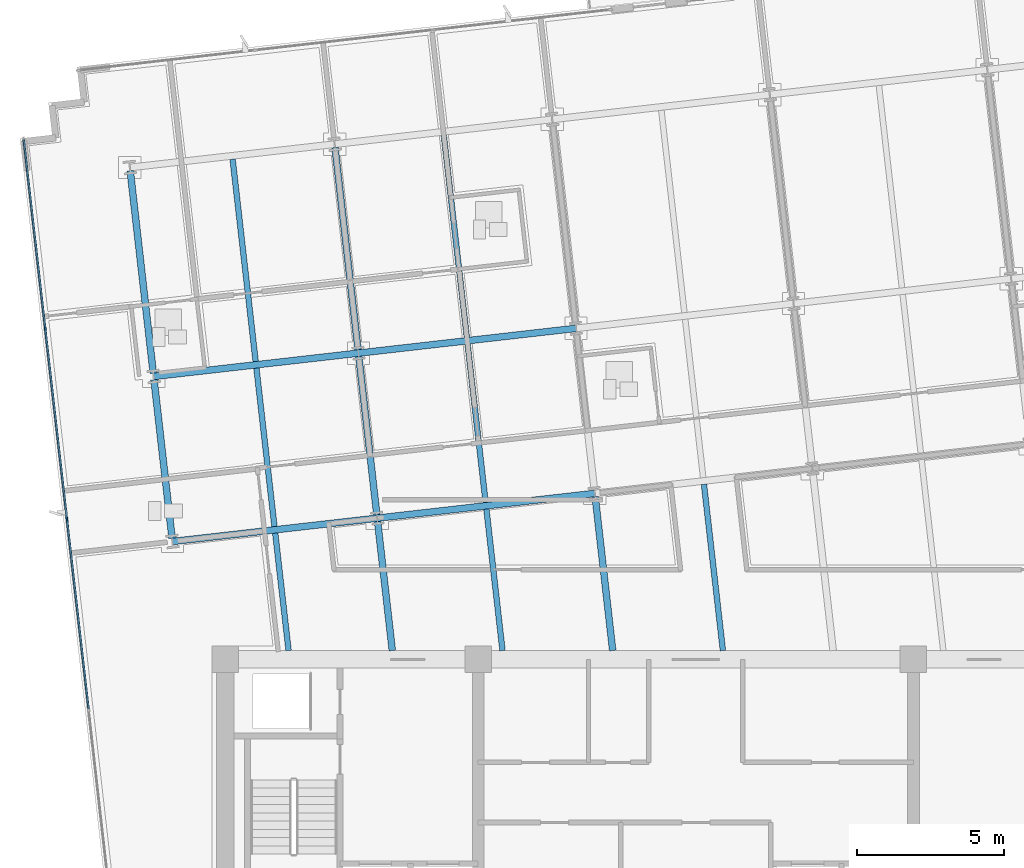
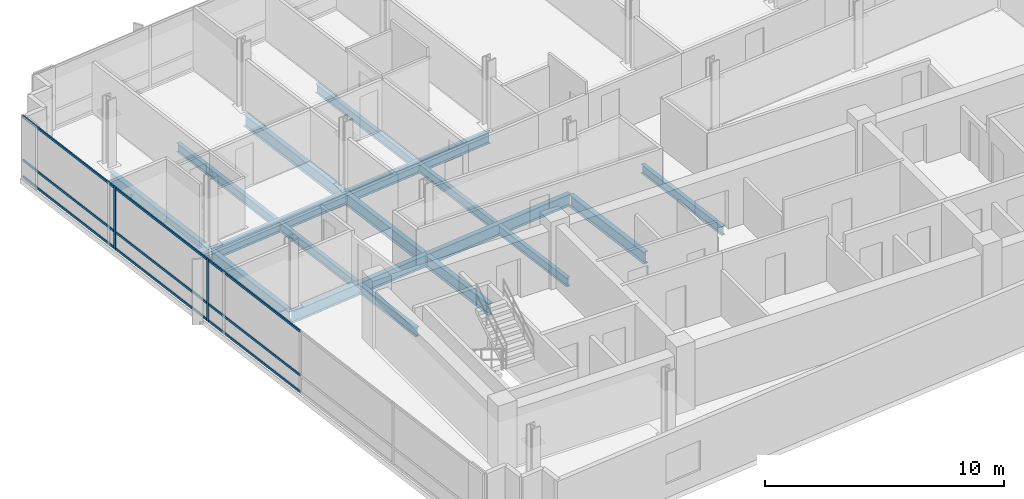
# One storey, part 3 of 16: 17 beams, 11 members, 1 element without a shape of its own.
"""IFC4 building model written with IfcOpenShell, lengths in metres."""

from ifc_helpers import new_model, si_unit, direction, frame, origin, origin_2d, place, context, subcontext, project, spatial, rectangle, i_section, extrude, material, material_profile, profile_set, type_object, element, aggregate, save


model = new_model("IFC4")

# Units and contexts
model_context = context("Model", 3, precision=1e-05, world=origin(), true_north=direction((0.0, 1.0)))
body_context = subcontext(model_context, "Body", "Model", "MODEL_VIEW")
ifc_project = project(units=[si_unit("LENGTHUNIT", "METRE"), si_unit("AREAUNIT", "SQUARE_METRE"), si_unit("VOLUMEUNIT", "CUBIC_METRE"), si_unit("PLANEANGLEUNIT", "RADIAN"), si_unit("MASSUNIT", "GRAM", prefix="KILO")], contexts=[model_context])

# Site, building, storey
site_placement = place(None, origin())
site = spatial("IfcSite", under=ifc_project, at=site_placement, CompositionType="ELEMENT")
building_placement = place(site_placement, origin())
building = spatial("IfcBuilding", under=site, at=building_placement, Name="Solmavex Isthmus Hotel", CompositionType="ELEMENT")
storey_placement = place(building_placement, frame((0.0, 0.0, 219.300048828125)))
storey = spatial("IfcBuildingStorey", under=building, at=storey_placement, Name="L59", CompositionType="ELEMENT", Elevation=219.300048828125)

# Beams
ifc_material_1 = material(Name="Steel ASTM A992 Grade 50", Category="steel")
ifc_material_profile_1 = material_profile(ifc_material_1, i_section(OverallWidth=0.1904296875, OverallDepth=0.456787109375, WebThickness=0.009033203125, FlangeThickness=0.014404296875, FilletRadius=0.0126953125, at=origin_2d()), Name="W18X50")
ifc_profile_set_1 = profile_set([ifc_material_profile_1], Name="Steel ASTM A992 Grade 50")
beam_type_1 = type_object("IfcBeamType", Name="BM-BJ-W18X50", PredefinedType="JOIST", material=ifc_profile_set_1)
beam_1_placement = place(storey_placement, frame((-13.847900390625, -2.199951171875, -0.488525390625), z_axis=(-0.113179724577, 0.993574531651, 0.0), x_axis=(-0.993574531651, -0.113179724577, 0.0)))
element("IfcBeam", 1, at=beam_1_placement, inside=storey, type_object=beam_type_1, Name="Secondary Floor Joist L59-J02", PredefinedType="JOIST", context=body_context, shape_type="SweptSolid", body=[
    extrude(i_section(OverallWidth=0.1904296875, OverallDepth=0.456787109375, WebThickness=0.009033203125, FlangeThickness=0.014404296875, FilletRadius=0.0126953125, at=origin_2d()), origin(), (0.0, 0.0, 1.0), 4.0166015625),
])
beam_2_placement = place(storey_placement, frame((-14.328369140625, 2.01708984375, -0.488525390625), z_axis=(-0.113189626161, 0.993573403695, 0.0), x_axis=(-0.993573403695, -0.113189626161, 0.0)))
element("IfcBeam", 2, at=beam_2_placement, inside=storey, type_object=beam_type_1, Name="Secondary Floor Joist L59-J03", PredefinedType="JOIST", context=body_context, shape_type="SweptSolid", body=[
    extrude(i_section(OverallWidth=0.1904296875, OverallDepth=0.456787109375, WebThickness=0.009033203125, FlangeThickness=0.014404296875, FilletRadius=0.0126953125, at=origin_2d()), origin(), (0.0, 0.0, 1.0), 5.42041015625),
])
beam_3_placement = place(storey_placement, frame((-14.9677734375, 7.62890625, -0.488525390625), z_axis=(-0.113202453846, 0.993571942258, 0.0), x_axis=(-0.993571942258, -0.113202453846, 0.0)))
element("IfcBeam", 3, at=beam_3_placement, inside=storey, type_object=beam_type_1, Name="Secondary Floor Joist L59-J04", PredefinedType="JOIST", context=body_context, shape_type="SweptSolid", body=[
    extrude(i_section(OverallWidth=0.1904296875, OverallDepth=0.456787109375, WebThickness=0.009033203125, FlangeThickness=0.014404296875, FilletRadius=0.0126953125, at=origin_2d()), origin(), (0.0, 0.0, 1.0), 6.9228515625),
])
beam_4_placement = place(storey_placement, frame((-6.57421875, -2.199951171875, -0.488525390625), z_axis=(-0.113193768539, 0.993572931779, 0.0), x_axis=(-0.993572931779, -0.113193768539, 0.0)))
element("IfcBeam", 4, at=beam_4_placement, inside=storey, type_object=beam_type_1, Name="Secondary Floor Joist L59-J06", PredefinedType="JOIST", context=body_context, shape_type="SweptSolid", body=[
    extrude(i_section(OverallWidth=0.1904296875, OverallDepth=0.456787109375, WebThickness=0.009033203125, FlangeThickness=0.014404296875, FilletRadius=0.0126953125, at=origin_2d()), origin(), (0.0, 0.0, 1.0), 4.83984375),
])
beam_5_placement = place(storey_placement, frame((-7.14794921875, 2.835205078125, -0.488525390625), z_axis=(-0.113189626161, 0.993573403695, 0.0), x_axis=(-0.993573403695, -0.113189626161, 0.0)))
element("IfcBeam", 5, at=beam_5_placement, inside=storey, type_object=beam_type_1, Name="Secondary Floor Joist L59-J07", PredefinedType="JOIST", context=body_context, shape_type="SweptSolid", body=[
    extrude(i_section(OverallWidth=0.1904296875, OverallDepth=0.456787109375, WebThickness=0.009033203125, FlangeThickness=0.014404296875, FilletRadius=0.0126953125, at=origin_2d()), origin(), (0.0, 0.0, 1.0), 5.42041015625),
])
beam_6_placement = place(storey_placement, frame((-7.787109375, 8.447021484375, -0.488525390625), z_axis=(-0.113202453846, 0.993571942258, 0.0), x_axis=(-0.993571942258, -0.113202453846, 0.0)))
element("IfcBeam", 6, at=beam_6_placement, inside=storey, type_object=beam_type_1, Name="Secondary Floor Joist L59-J08", PredefinedType="JOIST", context=body_context, shape_type="SweptSolid", body=[
    extrude(i_section(OverallWidth=0.1904296875, OverallDepth=0.456787109375, WebThickness=0.009033203125, FlangeThickness=0.014404296875, FilletRadius=0.0126953125, at=origin_2d()), origin(), (0.0, 0.0, 1.0), 6.9228515625),
])
beam_7_placement = place(storey_placement, frame((0.920166015625, -2.199951171875, -0.488525390625), z_axis=(-0.113219765873, 0.993569969663, 0.0), x_axis=(-0.993569969663, -0.113219765873, 0.0)))
element("IfcBeam", 7, at=beam_7_placement, inside=storey, type_object=beam_type_1, Name="Secondary Floor Joist L59-J09", PredefinedType="JOIST", context=body_context, shape_type="SweptSolid", body=[
    extrude(i_section(OverallWidth=0.1904296875, OverallDepth=0.456787109375, WebThickness=0.009033203125, FlangeThickness=0.014404296875, FilletRadius=0.0126953125, at=origin_2d()), origin(), (0.0, 0.0, 1.0), 5.6884765625),
])
ifc_material_profile_2 = material_profile(ifc_material_1, i_section(OverallWidth=0.227783203125, OverallDepth=0.602783203125, WebThickness=0.010498046875, FlangeThickness=0.014892578125, FilletRadius=0.01513671875, at=origin_2d()), Name="W24X68")
ifc_profile_set_2 = profile_set([ifc_material_profile_2], Name="Steel ASTM A992 Grade 50")
beam_type_2 = type_object("IfcBeamType", Name="BM-BM-W24X68", PredefinedType="BEAM", material=ifc_profile_set_2)
beam_8_placement = place(storey_placement, frame((-17.796875, 1.50732421875, -0.561279296875), z_axis=(0.993569675103, 0.113222350774, 0.0), x_axis=(-0.113222350774, 0.993569675103, 0.0)))
element("IfcBeam", 8, at=beam_8_placement, inside=storey, type_object=beam_type_2, Name="Floor Girder L59-UG06", PredefinedType="BEAM", context=body_context, shape_type="SweptSolid", body=[
    extrude(i_section(OverallWidth=0.227783203125, OverallDepth=0.602783203125, WebThickness=0.010498046875, FlangeThickness=0.014892578125, FilletRadius=0.01513671875, at=origin_2d()), origin(), (0.0, 0.0, 1.0), 7.008056640625),
])
beam_9_placement = place(storey_placement, frame((-10.833984375, 2.30078125, -0.561279296875), z_axis=(0.993574034044, 0.113184092846, 0.0), x_axis=(-0.113184092846, 0.993574034044, 0.0)))
element("IfcBeam", 9, at=beam_9_placement, inside=storey, type_object=beam_type_2, Name="Floor Girder L59-UG07", PredefinedType="BEAM", context=body_context, shape_type="SweptSolid", body=[
    extrude(i_section(OverallWidth=0.227783203125, OverallDepth=0.602783203125, WebThickness=0.010498046875, FlangeThickness=0.014892578125, FilletRadius=0.01513671875, at=origin_2d()), origin(), (0.0, 0.0, 1.0), 7.446044921875),
])
beam_10_placement = place(storey_placement, frame((-18.436279296875, 7.119140625, -0.561279296875), z_axis=(0.99357359356, 0.113187959519, 0.0), x_axis=(-0.113187959519, 0.99357359356, 0.0)))
element("IfcBeam", 10, at=beam_10_placement, inside=storey, type_object=beam_type_2, Name="Floor Girder L59-UG12", PredefinedType="BEAM", context=body_context, shape_type="SweptSolid", body=[
    extrude(i_section(OverallWidth=0.227783203125, OverallDepth=0.602783203125, WebThickness=0.010498046875, FlangeThickness=0.014892578125, FilletRadius=0.01513671875, at=origin_2d()), origin(), (0.0, 0.0, 1.0), 7.0078125),
])
beam_11_placement = place(storey_placement, frame((-11.473388671875, 7.912353515625, -0.561279296875), z_axis=(0.9935703463, 0.113216460607, 0.0), x_axis=(-0.113216460607, 0.9935703463, 0.0)))
element("IfcBeam", 11, at=beam_11_placement, inside=storey, type_object=beam_type_2, Name="Floor Girder L59-UG13", PredefinedType="BEAM", context=body_context, shape_type="SweptSolid", body=[
    extrude(i_section(OverallWidth=0.227783203125, OverallDepth=0.602783203125, WebThickness=0.010498046875, FlangeThickness=0.014892578125, FilletRadius=0.01513671875, at=origin_2d()), origin(), (0.0, 0.0, 1.0), 7.446044921875),
])
beam_12_placement = place(storey_placement, frame((-10.3212890625, -2.199951171875, -0.561279296875), z_axis=(-0.113173914695, 0.993575193447, 0.0), x_axis=(-0.993575193447, -0.113173914695, 0.0)))
element("IfcBeam", 12, at=beam_12_placement, inside=storey, type_object=beam_type_2, Name="Floor Beam L59-VG28", PredefinedType="BEAM", context=body_context, shape_type="SweptSolid", body=[
    extrude(i_section(OverallWidth=0.227783203125, OverallDepth=0.602783203125, WebThickness=0.010498046875, FlangeThickness=0.014892578125, FilletRadius=0.01513671875, at=origin_2d()), origin(), (0.0, 0.0, 1.0), 4.415771484375),
])
beam_13_placement = place(storey_placement, frame((-10.846923828125, 2.413818359375, -0.561279296875), z_axis=(-0.113189626161, 0.993573403695, 0.0), x_axis=(-0.993573403695, -0.113189626161, 0.0)))
element("IfcBeam", 13, at=beam_13_placement, inside=storey, type_object=beam_type_2, Name="Floor Beam L59-VG29", PredefinedType="BEAM", context=body_context, shape_type="SweptSolid", body=[
    extrude(i_section(OverallWidth=0.227783203125, OverallDepth=0.602783203125, WebThickness=0.010498046875, FlangeThickness=0.014892578125, FilletRadius=0.01513671875, at=origin_2d()), origin(), (0.0, 0.0, 1.0), 5.42041015625),
])
beam_14_placement = place(storey_placement, frame((-11.486328125, 8.025634765625, -0.561279296875), z_axis=(-0.113202453846, 0.993571942258, 0.0), x_axis=(-0.993571942258, -0.113202453846, 0.0)))
element("IfcBeam", 14, at=beam_14_placement, inside=storey, type_object=beam_type_2, Name="Floor Beam L59-VG30", PredefinedType="BEAM", context=body_context, shape_type="SweptSolid", body=[
    extrude(i_section(OverallWidth=0.227783203125, OverallDepth=0.602783203125, WebThickness=0.010498046875, FlangeThickness=0.014892578125, FilletRadius=0.01513671875, at=origin_2d()), origin(), (0.0, 0.0, 1.0), 6.9228515625),
])
beam_15_placement = place(storey_placement, frame((-2.8271484375, -2.199951171875, -0.561279296875), z_axis=(-0.113159423971, 0.993576843916, 0.0), x_axis=(-0.993576843916, -0.113159423971, 0.0)))
element("IfcBeam", 15, at=beam_15_placement, inside=storey, type_object=beam_type_2, Name="Floor Beam L59-VG31", PredefinedType="BEAM", context=body_context, shape_type="SweptSolid", body=[
    extrude(i_section(OverallWidth=0.227783203125, OverallDepth=0.602783203125, WebThickness=0.010498046875, FlangeThickness=0.014892578125, FilletRadius=0.01513671875, at=origin_2d()), origin(), (0.0, 0.0, 1.0), 5.26416015625),
])
ifc_material_profile_3 = material_profile(ifc_material_1, i_section(OverallWidth=0.230224609375, OverallDepth=0.617431640625, WebThickness=0.01318359375, FlangeThickness=0.022216796875, FilletRadius=0.01513671875, at=origin_2d()), Name="W24X94")
ifc_profile_set_3 = profile_set([ifc_material_profile_3], Name="Steel ASTM A992 Grade 50")
beam_type_3 = type_object("IfcBeamType", Name="BM-SP-W24X94", PredefinedType="SPANDREL", material=ifc_profile_set_3)
beam_16_placement = place(storey_placement, frame((-17.809814453125, 1.62060546875, -0.56884765625), z_axis=(-0.113194691868, 0.993572826587, 0.0), x_axis=(-0.993572826587, -0.113194691868, 0.0)))
element("IfcBeam", 16, at=beam_16_placement, inside=storey, type_object=beam_type_3, Name="Floor Beam L59-VG25", PredefinedType="SPANDREL", context=body_context, shape_type="SweptSolid", body=[
    extrude(i_section(OverallWidth=0.230224609375, OverallDepth=0.617431640625, WebThickness=0.01318359375, FlangeThickness=0.022216796875, FilletRadius=0.01513671875, at=origin_2d()), origin(), (0.0, 0.0, 1.0), 5.420166015625),
])
beam_17_placement = place(storey_placement, frame((-18.44921875, 7.232177734375, -0.56884765625), z_axis=(-0.113202453846, 0.993571942258, 0.0), x_axis=(-0.993571942258, -0.113202453846, 0.0)))
element("IfcBeam", 17, at=beam_17_placement, inside=storey, type_object=beam_type_3, Name="Floor Beam L59-VG26", PredefinedType="SPANDREL", context=body_context, shape_type="SweptSolid", body=[
    extrude(i_section(OverallWidth=0.230224609375, OverallDepth=0.617431640625, WebThickness=0.01318359375, FlangeThickness=0.022216796875, FilletRadius=0.01513671875, at=origin_2d()), origin(), (0.0, 0.0, 1.0), 6.9228515625),
])

# Curtain wall, members
ifc_material_2 = material(Name="Aluminium alloy 6063-T6", Category="aluminium")
curtain_wall_type = type_object("IfcCurtainWallType", Name="CW-SYS-06", PredefinedType="NOTDEFINED", material=ifc_material_2)
curtain_wall_placement = place(storey_placement, origin())
curtain_wall = element("IfcCurtainWall", 18, at=curtain_wall_placement, inside=storey, type_object=curtain_wall_type, Name="Stick Curtain Wall CWL-L59-W1", PredefinedType="NOTDEFINED")
ifc_material_profile_4 = material_profile(ifc_material_2, rectangle(XDim=0.06005859375, YDim=0.139892578125, at=origin_2d()), Name="CWM-60X140")
ifc_profile_set_4 = profile_set([ifc_material_profile_4], Name="Aluminium alloy 6063-T6")
member_type_1 = type_object("IfcMemberType", Name="CW-SYS-06-MUL", PredefinedType="MULLION", material=ifc_profile_set_4)
member_1_placement = place(storey_placement, frame((-21.385986328125, 2.265869140625, 0.0), z_axis=(0.0, 0.0, 1.0), x_axis=(-0.993571836648, -0.11320338078, 0.0)))
member_1 = element("IfcMember", 19, at=member_1_placement, type_object=member_type_1, Name="CW-06 mullion 4", PredefinedType="MULLION", context=body_context, shape_type="SweptSolid", body=[
    extrude(rectangle(XDim=0.06005859375, YDim=0.139892578125, at=origin_2d()), origin(), (0.0, 0.0, 1.0), 3.18994140625),
])
member_2_placement = place(storey_placement, frame((-22.1240234375, 8.744140625, 0.0), z_axis=(0.0, 0.0, 1.0), x_axis=(-0.993571836648, -0.11320338078, 0.0)))
member_2 = element("IfcMember", 20, at=member_2_placement, type_object=member_type_1, Name="CW-06 mullion 5", PredefinedType="MULLION", context=body_context, shape_type="SweptSolid", body=[
    extrude(rectangle(XDim=0.06005859375, YDim=0.139892578125, at=origin_2d()), origin(), (0.0, 0.0, 1.0), 3.18994140625),
])
ifc_material_profile_5 = material_profile(ifc_material_2, rectangle(XDim=0.06005859375, YDim=0.114990234375, at=origin_2d()), Name="CWT-60X115")
ifc_profile_set_5 = profile_set([ifc_material_profile_5], Name="Aluminium alloy 6063-T6")
member_type_2 = type_object("IfcMemberType", Name="CW-SYS-06-TRN", PredefinedType="USERDEFINED", material=ifc_profile_set_5)
member_3_placement = place(storey_placement, frame((-20.651123046875, -4.182373046875, 0.057373046875), z_axis=(-0.113226824616, 0.993569165276, 0.0), x_axis=(-0.993569165276, -0.113226824616, 0.0)))
member_3 = element("IfcMember", 21, at=member_3_placement, type_object=member_type_2, Name="CW-06 transom 3.1", ObjectType="TRANSOM", PredefinedType="USERDEFINED", context=body_context, shape_type="SweptSolid", body=[
    extrude(rectangle(XDim=0.06005859375, YDim=0.114990234375, at=origin_2d()), origin(), (0.0, 0.0, 1.0), 6.4599609375),
])
member_4_placement = place(storey_placement, frame((-20.651123046875, -4.182373046875, 0.89990234375), z_axis=(-0.113226824616, 0.993569165276, 0.0), x_axis=(-0.993569165276, -0.113226824616, 0.0)))
member_4 = element("IfcMember", 22, at=member_4_placement, type_object=member_type_2, Name="CW-06 transom 3.2", ObjectType="TRANSOM", PredefinedType="USERDEFINED", context=body_context, shape_type="SweptSolid", body=[
    extrude(rectangle(XDim=0.06005859375, YDim=0.114990234375, at=origin_2d()), origin(), (0.0, 0.0, 1.0), 6.4599609375),
])
member_5_placement = place(storey_placement, frame((-20.651123046875, -4.182373046875, 3.132568359375), z_axis=(-0.113226824616, 0.993569165276, 0.0), x_axis=(-0.993569165276, -0.113226824616, 0.0)))
member_5 = element("IfcMember", 23, at=member_5_placement, type_object=member_type_2, Name="CW-06 transom 3.3", ObjectType="TRANSOM", PredefinedType="USERDEFINED", context=body_context, shape_type="SweptSolid", body=[
    extrude(rectangle(XDim=0.06005859375, YDim=0.114990234375, at=origin_2d()), origin(), (0.0, 0.0, 1.0), 6.4599609375),
])
member_6_placement = place(storey_placement, frame((-21.389404296875, 2.295654296875, 0.057373046875), z_axis=(-0.113189516226, 0.993573416219, 0.0), x_axis=(-0.993573416219, -0.113189516226, 0.0)))
member_6 = element("IfcMember", 24, at=member_6_placement, type_object=member_type_2, Name="CW-06 transom 4.1", ObjectType="TRANSOM", PredefinedType="USERDEFINED", context=body_context, shape_type="SweptSolid", body=[
    extrude(rectangle(XDim=0.06005859375, YDim=0.114990234375, at=origin_2d()), origin(), (0.0, 0.0, 1.0), 6.4599609375),
])
member_7_placement = place(storey_placement, frame((-21.389404296875, 2.295654296875, 0.89990234375), z_axis=(-0.113189516226, 0.993573416219, 0.0), x_axis=(-0.993573416219, -0.113189516226, 0.0)))
member_7 = element("IfcMember", 25, at=member_7_placement, type_object=member_type_2, Name="CW-06 transom 4.2", ObjectType="TRANSOM", PredefinedType="USERDEFINED", context=body_context, shape_type="SweptSolid", body=[
    extrude(rectangle(XDim=0.06005859375, YDim=0.114990234375, at=origin_2d()), origin(), (0.0, 0.0, 1.0), 6.4599609375),
])
member_8_placement = place(storey_placement, frame((-21.389404296875, 2.295654296875, 3.132568359375), z_axis=(-0.113189516226, 0.993573416219, 0.0), x_axis=(-0.993573416219, -0.113189516226, 0.0)))
member_8 = element("IfcMember", 26, at=member_8_placement, type_object=member_type_2, Name="CW-06 transom 4.3", ObjectType="TRANSOM", PredefinedType="USERDEFINED", context=body_context, shape_type="SweptSolid", body=[
    extrude(rectangle(XDim=0.06005859375, YDim=0.114990234375, at=origin_2d()), origin(), (0.0, 0.0, 1.0), 6.4599609375),
])
member_9_placement = place(storey_placement, frame((-22.12744140625, 8.77392578125, 0.057373046875), z_axis=(-0.113185709511, 0.993573849879, 0.0), x_axis=(-0.993573849879, -0.113185709511, 0.0)))
member_9 = element("IfcMember", 27, at=member_9_placement, type_object=member_type_2, Name="CW-06 transom 5.1", ObjectType="TRANSOM", PredefinedType="USERDEFINED", context=body_context, shape_type="SweptSolid", body=[
    extrude(rectangle(XDim=0.06005859375, YDim=0.114990234375, at=origin_2d()), origin(), (0.0, 0.0, 1.0), 6.429931640625),
])
member_10_placement = place(storey_placement, frame((-22.12744140625, 8.77392578125, 0.89990234375), z_axis=(-0.113185709511, 0.993573849879, 0.0), x_axis=(-0.993573849879, -0.113185709511, 0.0)))
member_10 = element("IfcMember", 28, at=member_10_placement, type_object=member_type_2, Name="CW-06 transom 5.2", ObjectType="TRANSOM", PredefinedType="USERDEFINED", context=body_context, shape_type="SweptSolid", body=[
    extrude(rectangle(XDim=0.06005859375, YDim=0.114990234375, at=origin_2d()), origin(), (0.0, 0.0, 1.0), 6.429931640625),
])
member_11_placement = place(storey_placement, frame((-22.12744140625, 8.77392578125, 3.132568359375), z_axis=(-0.113185709511, 0.993573849879, 0.0), x_axis=(-0.993573849879, -0.113185709511, 0.0)))
member_11 = element("IfcMember", 29, at=member_11_placement, type_object=member_type_2, Name="CW-06 transom 5.3", ObjectType="TRANSOM", PredefinedType="USERDEFINED", context=body_context, shape_type="SweptSolid", body=[
    extrude(rectangle(XDim=0.06005859375, YDim=0.114990234375, at=origin_2d()), origin(), (0.0, 0.0, 1.0), 6.429931640625),
])
aggregate(curtain_wall, [member_1, member_2, member_3, member_4, member_5, member_6, member_7, member_8, member_9, member_10, member_11])

save(model, "model.ifc")
